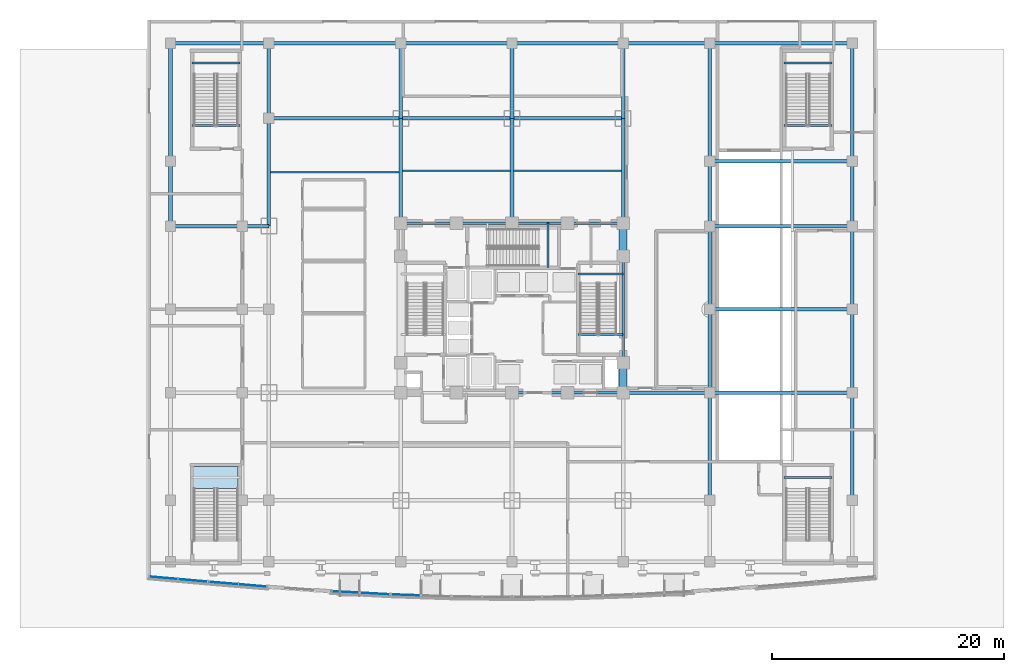
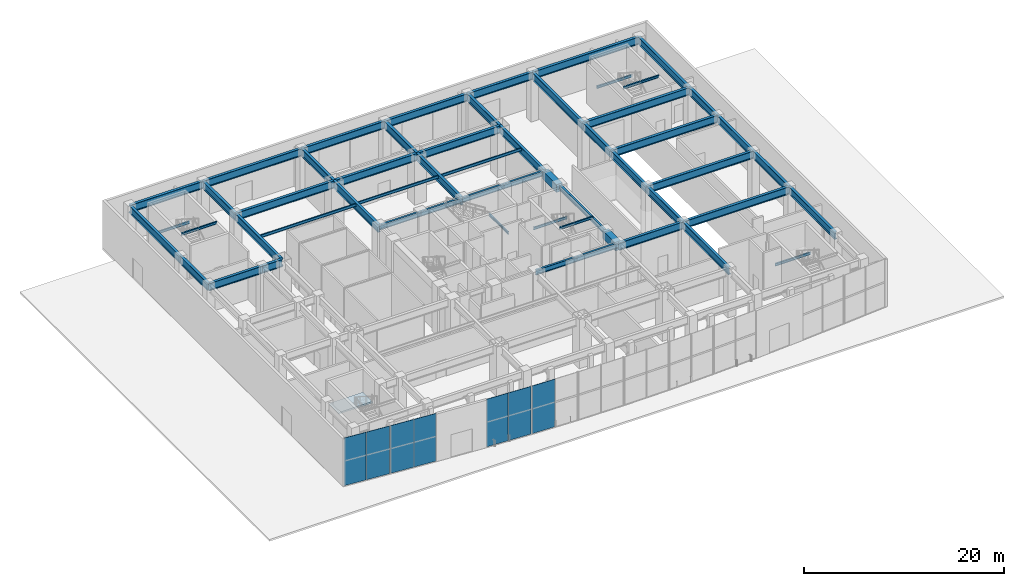
# One storey, part 10 of 23: 56 beams, 7 plates, 1 slab, 5 elements without a shape of their own.
"""IFC4 building model written with IfcOpenShell, lengths in metres."""

from ifc_helpers import new_model, si_unit, direction, frame, origin, origin_2d, place, context, subcontext, project, spatial, polyline, rectangle, i_section, outline, extrude, material, layer, layer_set, material_profile, profile_set, type_object, element, aggregate, save


model = new_model("IFC4")

# Units and contexts
model_context = context("Model", 3, precision=1e-05, world=origin(), true_north=direction((0.0, 1.0)))
body_context = subcontext(model_context, "Body", "Model", "MODEL_VIEW")
ifc_project = project(units=[si_unit("LENGTHUNIT", "METRE"), si_unit("AREAUNIT", "SQUARE_METRE"), si_unit("VOLUMEUNIT", "CUBIC_METRE"), si_unit("PLANEANGLEUNIT", "RADIAN"), si_unit("MASSUNIT", "GRAM", prefix="KILO")], contexts=[model_context])

# Site, building, storey
site_placement = place(None, origin())
site = spatial("IfcSite", under=ifc_project, at=site_placement, CompositionType="ELEMENT")
building_placement = place(site_placement, origin())
building = spatial("IfcBuilding", under=site, at=building_placement, Name="Vantalir Tower", CompositionType="ELEMENT")
storey_placement = place(building_placement, origin())
storey = spatial("IfcBuildingStorey", under=building, at=storey_placement, Name="L00", CompositionType="ELEMENT", Elevation=0.0)

# Beams
ifc_material_1 = material(Name="Concrete C60/75", Category="concrete")
ifc_material_profile_1 = material_profile(ifc_material_1, rectangle(XDim=0.699951171875, YDim=0.949951171875, at=origin_2d()), Name="Concrete C60/75")
ifc_profile_set_1 = profile_set([ifc_material_profile_1], Name="Concrete C60/75")
beam_type_1 = type_object("IfcBeamType", Name="BM-CB-700x950", PredefinedType="USERDEFINED", material=ifc_profile_set_1)
beam_1_placement = place(storey_placement, frame((41.10009765625, 17.800048828125, 5.344970703125), z_axis=(0.0, 1.0, 0.0), x_axis=(-1.0, 0.0, 0.0)))
element("IfcBeam", 1, at=beam_1_placement, inside=storey, type_object=beam_type_1, Name="L00 Core Coupling Girder 05", ObjectType="GIRDER", PredefinedType="USERDEFINED", context=body_context, shape_type="SweptSolid", body=[
    extrude(rectangle(XDim=0.699951171875, YDim=0.949951171875, at=origin_2d()), origin(), (0.0, 0.0, 1.0), 2.599853515625),
])
beam_2_placement = place(storey_placement, frame((41.10009765625, 29.60009765625, 5.344970703125), z_axis=(0.0, 1.0, 0.0), x_axis=(-1.0, 0.0, 0.0)))
element("IfcBeam", 2, at=beam_2_placement, inside=storey, type_object=beam_type_1, Name="L00 Core Coupling Girder 07", ObjectType="GIRDER", PredefinedType="USERDEFINED", context=body_context, shape_type="SweptSolid", body=[
    extrude(rectangle(XDim=0.699951171875, YDim=0.949951171875, at=origin_2d()), origin(), (0.0, 0.0, 1.0), 2.849853515625),
])
ifc_material_2 = material(Name="Steel S355", Category="steel")
ifc_material_profile_2 = material_profile(ifc_material_2, i_section(OverallWidth=0.166015625, OverallDepth=0.306884765625, WebThickness=0.006591796875, FlangeThickness=0.01171875, at=origin_2d()), Name="Steel S355")
ifc_profile_set_2 = profile_set([ifc_material_profile_2], Name="Steel S355")
beam_type_2 = type_object("IfcBeamType", Name="BM-JS-305x165", PredefinedType="JOIST", material=ifc_profile_set_2)
for number, where, z_axis, x_axis, name in (
    (3, (37.2099609375, 22.8349609375, 5.845947265625), (1.0, 0.0, 0.0), (0.0, 1.0, 0.0), "Level 01 Stair ST2 Well Nosing Trimmer Beam"),
    (4, (37.2099609375, 28.070068359375, 2.64599609375), (1.0, 0.0, 0.0), (0.0, 1.0, 0.0), "L00 Stair ST2 Half-Landing Support Beam"),
):
    element("IfcBeam", number, at=place(storey_placement, frame(where, z_axis=z_axis, x_axis=x_axis)), inside=storey, type_object=beam_type_2, Name=name, PredefinedType="JOIST", context=body_context, shape_type="SweptSolid", body=[
        extrude(i_section(OverallWidth=0.166015625, OverallDepth=0.306884765625, WebThickness=0.006591796875, FlangeThickness=0.01171875, at=origin_2d()), origin(), (0.0, 0.0, 1.0), 3.89013671875),
    ])
beam_3_placement = place(storey_placement, frame((34.6201171875, 28.60009765625, 2.64599609375), z_axis=(0.0, 1.0, 0.0), x_axis=(-1.0, 0.0, 0.0)))
element("IfcBeam", 5, at=beam_3_placement, inside=storey, type_object=beam_type_2, Name="L00 Stair ST3 Half-Landing Support Beam", PredefinedType="JOIST", context=body_context, shape_type="SweptSolid", body=[
    extrude(i_section(OverallWidth=0.166015625, OverallDepth=0.306884765625, WebThickness=0.006591796875, FlangeThickness=0.01171875, at=origin_2d()), origin(), (0.0, 0.0, 1.0), 3.849853515625),
])
for number, where, z_axis, x_axis, name in (
    (6, (3.860107421875, 40.89501953125, 5.845947265625), (1.0, 0.0, 0.0), (0.0, 1.0, 0.0), "Level 01 Stair PST1 Well Nosing Trimmer Beam"),
    (7, (3.860107421875, 46.27490234375, 2.64599609375), (1.0, 0.0, 0.0), (0.0, 1.0, 0.0), "L00 Stair PST1 Half-Landing Support Beam"),
    (8, (55.010009765625, 40.89501953125, 5.845947265625), (1.0, 0.0, 0.0), (0.0, 1.0, 0.0), "Level 01 Stair PST2 Well Nosing Trimmer Beam"),
    (9, (55.010009765625, 46.27490234375, 2.64599609375), (1.0, 0.0, 0.0), (0.0, 1.0, 0.0), "L00 Stair PST2 Half-Landing Support Beam"),
    (10, (55.010009765625, 10.47509765625, 2.64599609375), (1.0, 0.0, 0.0), (0.0, 1.0, 0.0), "L00 Stair PST4 Half-Landing Support Beam"),
):
    element("IfcBeam", number, at=place(storey_placement, frame(where, z_axis=z_axis, x_axis=x_axis)), inside=storey, type_object=beam_type_2, Name=name, PredefinedType="JOIST", context=body_context, shape_type="SweptSolid", body=[
        extrude(i_section(OverallWidth=0.166015625, OverallDepth=0.306884765625, WebThickness=0.006591796875, FlangeThickness=0.01171875, at=origin_2d()), origin(), (0.0, 0.0, 1.0), 4.1298828125),
    ])
ifc_material_profile_3 = material_profile(ifc_material_2, i_section(OverallWidth=0.1259765625, OverallDepth=0.35302734375, WebThickness=0.006591796875, FlangeThickness=0.0107421875, at=origin_2d()), Name="Steel S355")
ifc_profile_set_3 = profile_set([ifc_material_profile_3], Name="Steel S355")
beam_type_3 = type_object("IfcBeamType", Name="BM-JS-356x127", PredefinedType="JOIST", material=ifc_profile_set_3)
beam_4_placement = place(storey_placement, frame((10.64501953125, 36.85009765625, 5.64404296875), z_axis=(1.0, 0.0, 0.0), x_axis=(0.0, 1.0, 0.0)))
element("IfcBeam", 11, at=beam_4_placement, inside=storey, type_object=beam_type_3, Name="L00 Secondary Composite Joist 02", PredefinedType="JOIST", context=body_context, shape_type="SweptSolid", body=[
    extrude(i_section(OverallWidth=0.1259765625, OverallDepth=0.35302734375, WebThickness=0.006591796875, FlangeThickness=0.0107421875, at=origin_2d()), origin(), (0.0, 0.0, 1.0), 11.10986328125),
])
for number, where, z_axis, x_axis, name in (
    (12, (22.044921875, 36.97509765625, 5.64404296875), (1.0, 0.0, 0.0), (0.0, 1.0, 0.0), "L00 Secondary Composite Joist 04"),
    (13, (31.64501953125, 36.97509765625, 5.64404296875), (1.0, 0.0, 0.0), (0.0, 1.0, 0.0), "L00 Secondary Composite Joist 06"),
):
    element("IfcBeam", number, at=place(storey_placement, frame(where, z_axis=z_axis, x_axis=x_axis)), inside=storey, type_object=beam_type_3, Name=name, PredefinedType="JOIST", context=body_context, shape_type="SweptSolid", body=[
        extrude(i_section(OverallWidth=0.1259765625, OverallDepth=0.35302734375, WebThickness=0.006591796875, FlangeThickness=0.0107421875, at=origin_2d()), origin(), (0.0, 0.0, 1.0), 9.31005859375),
    ])
ifc_material_profile_4 = material_profile(ifc_material_2, i_section(OverallWidth=0.30810546875, OverallDepth=0.927001953125, WebThickness=0.01953125, FlangeThickness=0.031982421875, at=origin_2d()), Name="Steel S355")
ifc_profile_set_4 = profile_set([ifc_material_profile_4], Name="Steel S355")
beam_type_4 = type_object("IfcBeamType", Name="BM-PG-914x305", PredefinedType="USERDEFINED", material=ifc_profile_set_4)
beam_5_placement = place(storey_placement, frame((41.10009765625, 17.800048828125, 5.35693359375), z_axis=(1.0, 0.0, 0.0), x_axis=(0.0, 1.0, 0.0)))
element("IfcBeam", 14, at=beam_5_placement, inside=storey, type_object=beam_type_4, Name="L00 Podium E-W Girder 19", ObjectType="GIRDER", PredefinedType="USERDEFINED", context=body_context, shape_type="SweptSolid", body=[
    extrude(i_section(OverallWidth=0.30810546875, OverallDepth=0.927001953125, WebThickness=0.01953125, FlangeThickness=0.031982421875, at=origin_2d()), origin(), (0.0, 0.0, 1.0), 7.5),
])
for number, where, z_axis, x_axis, name in (
    (15, (48.60009765625, 17.800048828125, 5.35693359375), (1.0, 0.0, 0.0), (0.0, 1.0, 0.0), "L00 Podium E-W Girder 20"),
    (16, (48.60009765625, 25.0, 5.35693359375), (1.0, 0.0, 0.0), (0.0, 1.0, 0.0), "L00 Podium E-W Girder 23"),
):
    element("IfcBeam", number, at=place(storey_placement, frame(where, z_axis=z_axis, x_axis=x_axis)), inside=storey, type_object=beam_type_4, Name=name, ObjectType="GIRDER", PredefinedType="USERDEFINED", context=body_context, shape_type="SweptSolid", body=[
        extrude(i_section(OverallWidth=0.30810546875, OverallDepth=0.927001953125, WebThickness=0.01953125, FlangeThickness=0.031982421875, at=origin_2d()), origin(), (0.0, 0.0, 1.0), 12.2998046875),
    ])
beam_6_placement = place(storey_placement, frame((2.0, 32.199951171875, 5.35693359375), z_axis=(1.0, 0.0, 0.0), x_axis=(0.0, 1.0, 0.0)))
element("IfcBeam", 17, at=beam_6_placement, inside=storey, type_object=beam_type_4, Name="L00 Podium E-W Girder 24", ObjectType="GIRDER", PredefinedType="USERDEFINED", context=body_context, shape_type="SweptSolid", body=[
    extrude(i_section(OverallWidth=0.30810546875, OverallDepth=0.927001953125, WebThickness=0.01953125, FlangeThickness=0.031982421875, at=origin_2d()), origin(), (0.0, 0.0, 1.0), 6.199951171875),
])
beam_7_placement = place(storey_placement, frame((8.199951171875, 32.199951171875, 5.35693359375), z_axis=(1.0, 0.0, 0.0), x_axis=(0.0, 1.0, 0.0)))
element("IfcBeam", 18, at=beam_7_placement, inside=storey, type_object=beam_type_4, Name="L00 Podium E-W Girder 25", ObjectType="GIRDER", PredefinedType="USERDEFINED", context=body_context, shape_type="SweptSolid", body=[
    extrude(i_section(OverallWidth=0.30810546875, OverallDepth=0.927001953125, WebThickness=0.01953125, FlangeThickness=0.031982421875, at=origin_2d()), origin(), (0.0, 0.0, 1.0), 2.300048828125),
])
for number, where, z_axis, x_axis, name in (
    (19, (48.60009765625, 32.199951171875, 5.35693359375), (1.0, 0.0, 0.0), (0.0, 1.0, 0.0), "L00 Podium E-W Girder 26"),
    (20, (48.60009765625, 37.800048828125, 5.35693359375), (1.0, 0.0, 0.0), (0.0, 1.0, 0.0), "L00 Podium E-W Girder 31"),
):
    element("IfcBeam", number, at=place(storey_placement, frame(where, z_axis=z_axis, x_axis=x_axis)), inside=storey, type_object=beam_type_4, Name=name, ObjectType="GIRDER", PredefinedType="USERDEFINED", context=body_context, shape_type="SweptSolid", body=[
        extrude(i_section(OverallWidth=0.30810546875, OverallDepth=0.927001953125, WebThickness=0.01953125, FlangeThickness=0.031982421875, at=origin_2d()), origin(), (0.0, 0.0, 1.0), 12.2998046875),
    ])
beam_8_placement = place(storey_placement, frame((10.5, 41.5, 5.35693359375), z_axis=(1.0, 0.0, 0.0), x_axis=(0.0, 1.0, 0.0)))
element("IfcBeam", 21, at=beam_8_placement, inside=storey, type_object=beam_type_4, Name="L00 Podium E-W Girder 32", ObjectType="GIRDER", PredefinedType="USERDEFINED", context=body_context, shape_type="SweptSolid", body=[
    extrude(i_section(OverallWidth=0.30810546875, OverallDepth=0.927001953125, WebThickness=0.01953125, FlangeThickness=0.031982421875, at=origin_2d()), origin(), (0.0, 0.0, 1.0), 11.39990234375),
])
for number, where, z_axis, x_axis, name in (
    (22, (21.89990234375, 41.5, 5.35693359375), (1.0, 0.0, 0.0), (0.0, 1.0, 0.0), "L00 Podium E-W Girder 33"),
    (23, (31.5, 41.5, 5.35693359375), (1.0, 0.0, 0.0), (0.0, 1.0, 0.0), "L00 Podium E-W Girder 34"),
):
    element("IfcBeam", number, at=place(storey_placement, frame(where, z_axis=z_axis, x_axis=x_axis)), inside=storey, type_object=beam_type_4, Name=name, ObjectType="GIRDER", PredefinedType="USERDEFINED", context=body_context, shape_type="SweptSolid", body=[
        extrude(i_section(OverallWidth=0.30810546875, OverallDepth=0.927001953125, WebThickness=0.01953125, FlangeThickness=0.031982421875, at=origin_2d()), origin(), (0.0, 0.0, 1.0), 9.60009765625),
    ])
beam_9_placement = place(storey_placement, frame((2.0, 48.0, 5.35693359375), z_axis=(1.0, 0.0, 0.0), x_axis=(0.0, 1.0, 0.0)))
element("IfcBeam", 24, at=beam_9_placement, inside=storey, type_object=beam_type_4, Name="L00 Podium E-W Girder 35", ObjectType="GIRDER", PredefinedType="USERDEFINED", context=body_context, shape_type="SweptSolid", body=[
    extrude(i_section(OverallWidth=0.30810546875, OverallDepth=0.927001953125, WebThickness=0.01953125, FlangeThickness=0.031982421875, at=origin_2d()), origin(), (0.0, 0.0, 1.0), 8.5),
])
beam_10_placement = place(storey_placement, frame((10.5, 48.0, 5.35693359375), z_axis=(1.0, 0.0, 0.0), x_axis=(0.0, 1.0, 0.0)))
element("IfcBeam", 25, at=beam_10_placement, inside=storey, type_object=beam_type_4, Name="L00 Podium E-W Girder 36", ObjectType="GIRDER", PredefinedType="USERDEFINED", context=body_context, shape_type="SweptSolid", body=[
    extrude(i_section(OverallWidth=0.30810546875, OverallDepth=0.927001953125, WebThickness=0.01953125, FlangeThickness=0.031982421875, at=origin_2d()), origin(), (0.0, 0.0, 1.0), 11.39990234375),
])
for number, where, z_axis, x_axis, name in (
    (26, (21.89990234375, 48.0, 5.35693359375), (1.0, 0.0, 0.0), (0.0, 1.0, 0.0), "L00 Podium E-W Girder 37"),
    (27, (31.5, 48.0, 5.35693359375), (1.0, 0.0, 0.0), (0.0, 1.0, 0.0), "L00 Podium E-W Girder 38"),
):
    element("IfcBeam", number, at=place(storey_placement, frame(where, z_axis=z_axis, x_axis=x_axis)), inside=storey, type_object=beam_type_4, Name=name, ObjectType="GIRDER", PredefinedType="USERDEFINED", context=body_context, shape_type="SweptSolid", body=[
        extrude(i_section(OverallWidth=0.30810546875, OverallDepth=0.927001953125, WebThickness=0.01953125, FlangeThickness=0.031982421875, at=origin_2d()), origin(), (0.0, 0.0, 1.0), 9.60009765625),
    ])
beam_11_placement = place(storey_placement, frame((41.10009765625, 48.0, 5.35693359375), z_axis=(1.0, 0.0, 0.0), x_axis=(0.0, 1.0, 0.0)))
element("IfcBeam", 28, at=beam_11_placement, inside=storey, type_object=beam_type_4, Name="L00 Podium E-W Girder 39", ObjectType="GIRDER", PredefinedType="USERDEFINED", context=body_context, shape_type="SweptSolid", body=[
    extrude(i_section(OverallWidth=0.30810546875, OverallDepth=0.927001953125, WebThickness=0.01953125, FlangeThickness=0.031982421875, at=origin_2d()), origin(), (0.0, 0.0, 1.0), 7.5),
])
beam_12_placement = place(storey_placement, frame((48.60009765625, 48.0, 5.35693359375), z_axis=(1.0, 0.0, 0.0), x_axis=(0.0, 1.0, 0.0)))
element("IfcBeam", 29, at=beam_12_placement, inside=storey, type_object=beam_type_4, Name="L00 Podium E-W Girder 40", ObjectType="GIRDER", PredefinedType="USERDEFINED", context=body_context, shape_type="SweptSolid", body=[
    extrude(i_section(OverallWidth=0.30810546875, OverallDepth=0.927001953125, WebThickness=0.01953125, FlangeThickness=0.031982421875, at=origin_2d()), origin(), (0.0, 0.0, 1.0), 12.2998046875),
])
beam_13_placement = place(storey_placement, frame((2.0, 32.199951171875, 5.35693359375), z_axis=(0.0, 1.0, 0.0), x_axis=(-1.0, 0.0, 0.0)))
element("IfcBeam", 30, at=beam_13_placement, inside=storey, type_object=beam_type_4, Name="L00 Podium N-S Girder 45", ObjectType="GIRDER", PredefinedType="USERDEFINED", context=body_context, shape_type="SweptSolid", body=[
    extrude(i_section(OverallWidth=0.30810546875, OverallDepth=0.927001953125, WebThickness=0.01953125, FlangeThickness=0.031982421875, at=origin_2d()), origin(), (0.0, 0.0, 1.0), 5.60009765625),
])
beam_14_placement = place(storey_placement, frame((2.0, 37.800048828125, 5.35693359375), z_axis=(0.0, 1.0, 0.0), x_axis=(-1.0, 0.0, 0.0)))
element("IfcBeam", 31, at=beam_14_placement, inside=storey, type_object=beam_type_4, Name="L00 Podium N-S Girder 46", ObjectType="GIRDER", PredefinedType="USERDEFINED", context=body_context, shape_type="SweptSolid", body=[
    extrude(i_section(OverallWidth=0.30810546875, OverallDepth=0.927001953125, WebThickness=0.01953125, FlangeThickness=0.031982421875, at=origin_2d()), origin(), (0.0, 0.0, 1.0), 10.199951171875),
])
beam_15_placement = place(storey_placement, frame((10.5, 32.199951171875, 5.35693359375), z_axis=(0.0, 1.0, 0.0), x_axis=(-1.0, 0.0, 0.0)))
element("IfcBeam", 32, at=beam_15_placement, inside=storey, type_object=beam_type_4, Name="L00 Podium N-S Girder 54", ObjectType="GIRDER", PredefinedType="USERDEFINED", context=body_context, shape_type="SweptSolid", body=[
    extrude(i_section(OverallWidth=0.30810546875, OverallDepth=0.927001953125, WebThickness=0.01953125, FlangeThickness=0.031982421875, at=origin_2d()), origin(), (0.0, 0.0, 1.0), 9.300048828125),
])
beam_16_placement = place(storey_placement, frame((10.5, 41.5, 5.35693359375), z_axis=(0.0, 1.0, 0.0), x_axis=(-1.0, 0.0, 0.0)))
element("IfcBeam", 33, at=beam_16_placement, inside=storey, type_object=beam_type_4, Name="L00 Podium N-S Girder 55", ObjectType="GIRDER", PredefinedType="USERDEFINED", context=body_context, shape_type="SweptSolid", body=[
    extrude(i_section(OverallWidth=0.30810546875, OverallDepth=0.927001953125, WebThickness=0.01953125, FlangeThickness=0.031982421875, at=origin_2d()), origin(), (0.0, 0.0, 1.0), 6.5),
])
beam_17_placement = place(storey_placement, frame((21.89990234375, 32.449951171875, 5.35693359375), z_axis=(0.0, 1.0, 0.0), x_axis=(-1.0, 0.0, 0.0)))
element("IfcBeam", 34, at=beam_17_placement, inside=storey, type_object=beam_type_4, Name="L00 Podium N-S Girder 61", ObjectType="GIRDER", PredefinedType="USERDEFINED", context=body_context, shape_type="SweptSolid", body=[
    extrude(i_section(OverallWidth=0.30810546875, OverallDepth=0.927001953125, WebThickness=0.01953125, FlangeThickness=0.031982421875, at=origin_2d()), origin(), (0.0, 0.0, 1.0), 9.050048828125),
])
beam_18_placement = place(storey_placement, frame((21.89990234375, 41.5, 5.35693359375), z_axis=(0.0, 1.0, 0.0), x_axis=(-1.0, 0.0, 0.0)))
element("IfcBeam", 35, at=beam_18_placement, inside=storey, type_object=beam_type_4, Name="L00 Podium N-S Girder 62", ObjectType="GIRDER", PredefinedType="USERDEFINED", context=body_context, shape_type="SweptSolid", body=[
    extrude(i_section(OverallWidth=0.30810546875, OverallDepth=0.927001953125, WebThickness=0.01953125, FlangeThickness=0.031982421875, at=origin_2d()), origin(), (0.0, 0.0, 1.0), 6.5),
])
beam_19_placement = place(storey_placement, frame((31.5, 32.449951171875, 5.35693359375), z_axis=(0.0, 1.0, 0.0), x_axis=(-1.0, 0.0, 0.0)))
element("IfcBeam", 36, at=beam_19_placement, inside=storey, type_object=beam_type_4, Name="L00 Podium N-S Girder 65", ObjectType="GIRDER", PredefinedType="USERDEFINED", context=body_context, shape_type="SweptSolid", body=[
    extrude(i_section(OverallWidth=0.30810546875, OverallDepth=0.927001953125, WebThickness=0.01953125, FlangeThickness=0.031982421875, at=origin_2d()), origin(), (0.0, 0.0, 1.0), 9.050048828125),
])
beam_20_placement = place(storey_placement, frame((31.5, 41.5, 5.35693359375), z_axis=(0.0, 1.0, 0.0), x_axis=(-1.0, 0.0, 0.0)))
element("IfcBeam", 37, at=beam_20_placement, inside=storey, type_object=beam_type_4, Name="L00 Podium N-S Girder 66", ObjectType="GIRDER", PredefinedType="USERDEFINED", context=body_context, shape_type="SweptSolid", body=[
    extrude(i_section(OverallWidth=0.30810546875, OverallDepth=0.927001953125, WebThickness=0.01953125, FlangeThickness=0.031982421875, at=origin_2d()), origin(), (0.0, 0.0, 1.0), 6.5),
])
beam_21_placement = place(storey_placement, frame((41.10009765625, 32.449951171875, 5.35693359375), z_axis=(0.0, 1.0, 0.0), x_axis=(-1.0, 0.0, 0.0)))
element("IfcBeam", 38, at=beam_21_placement, inside=storey, type_object=beam_type_4, Name="L00 Podium N-S Girder 72", ObjectType="GIRDER", PredefinedType="USERDEFINED", context=body_context, shape_type="SweptSolid", body=[
    extrude(i_section(OverallWidth=0.30810546875, OverallDepth=0.927001953125, WebThickness=0.01953125, FlangeThickness=0.031982421875, at=origin_2d()), origin(), (0.0, 0.0, 1.0), 9.050048828125),
])
beam_22_placement = place(storey_placement, frame((41.10009765625, 41.5, 5.35693359375), z_axis=(0.0, 1.0, 0.0), x_axis=(-1.0, 0.0, 0.0)))
element("IfcBeam", 39, at=beam_22_placement, inside=storey, type_object=beam_type_4, Name="L00 Podium N-S Girder 73", ObjectType="GIRDER", PredefinedType="USERDEFINED", context=body_context, shape_type="SweptSolid", body=[
    extrude(i_section(OverallWidth=0.30810546875, OverallDepth=0.927001953125, WebThickness=0.01953125, FlangeThickness=0.031982421875, at=origin_2d()), origin(), (0.0, 0.0, 1.0), 6.5),
])
beam_23_placement = place(storey_placement, frame((48.60009765625, 8.5, 5.35693359375), z_axis=(0.0, 1.0, 0.0), x_axis=(-1.0, 0.0, 0.0)))
element("IfcBeam", 40, at=beam_23_placement, inside=storey, type_object=beam_type_4, Name="L00 Podium N-S Girder 75", ObjectType="GIRDER", PredefinedType="USERDEFINED", context=body_context, shape_type="SweptSolid", body=[
    extrude(i_section(OverallWidth=0.30810546875, OverallDepth=0.927001953125, WebThickness=0.01953125, FlangeThickness=0.031982421875, at=origin_2d()), origin(), (0.0, 0.0, 1.0), 9.300048828125),
])
for number, where, z_axis, x_axis, name in (
    (41, (48.60009765625, 17.800048828125, 5.35693359375), (0.0, 1.0, 0.0), (-1.0, 0.0, 0.0), "L00 Podium N-S Girder 76"),
    (42, (48.60009765625, 25.0, 5.35693359375), (0.0, 1.0, 0.0), (-1.0, 0.0, 0.0), "L00 Podium N-S Girder 77"),
):
    element("IfcBeam", number, at=place(storey_placement, frame(where, z_axis=z_axis, x_axis=x_axis)), inside=storey, type_object=beam_type_4, Name=name, ObjectType="GIRDER", PredefinedType="USERDEFINED", context=body_context, shape_type="SweptSolid", body=[
        extrude(i_section(OverallWidth=0.30810546875, OverallDepth=0.927001953125, WebThickness=0.01953125, FlangeThickness=0.031982421875, at=origin_2d()), origin(), (0.0, 0.0, 1.0), 7.199951171875),
    ])
beam_24_placement = place(storey_placement, frame((48.60009765625, 32.199951171875, 5.35693359375), z_axis=(0.0, 1.0, 0.0), x_axis=(-1.0, 0.0, 0.0)))
element("IfcBeam", 43, at=beam_24_placement, inside=storey, type_object=beam_type_4, Name="L00 Podium N-S Girder 78", ObjectType="GIRDER", PredefinedType="USERDEFINED", context=body_context, shape_type="SweptSolid", body=[
    extrude(i_section(OverallWidth=0.30810546875, OverallDepth=0.927001953125, WebThickness=0.01953125, FlangeThickness=0.031982421875, at=origin_2d()), origin(), (0.0, 0.0, 1.0), 5.60009765625),
])
beam_25_placement = place(storey_placement, frame((48.60009765625, 37.800048828125, 5.35693359375), z_axis=(0.0, 1.0, 0.0), x_axis=(-1.0, 0.0, 0.0)))
element("IfcBeam", 44, at=beam_25_placement, inside=storey, type_object=beam_type_4, Name="L00 Podium N-S Girder 79", ObjectType="GIRDER", PredefinedType="USERDEFINED", context=body_context, shape_type="SweptSolid", body=[
    extrude(i_section(OverallWidth=0.30810546875, OverallDepth=0.927001953125, WebThickness=0.01953125, FlangeThickness=0.031982421875, at=origin_2d()), origin(), (0.0, 0.0, 1.0), 10.199951171875),
])
beam_26_placement = place(storey_placement, frame((60.89990234375, 8.5, 5.35693359375), z_axis=(0.0, 1.0, 0.0), x_axis=(-1.0, 0.0, 0.0)))
element("IfcBeam", 45, at=beam_26_placement, inside=storey, type_object=beam_type_4, Name="L00 Podium N-S Girder 81", ObjectType="GIRDER", PredefinedType="USERDEFINED", context=body_context, shape_type="SweptSolid", body=[
    extrude(i_section(OverallWidth=0.30810546875, OverallDepth=0.927001953125, WebThickness=0.01953125, FlangeThickness=0.031982421875, at=origin_2d()), origin(), (0.0, 0.0, 1.0), 9.300048828125),
])
for number, where, z_axis, x_axis, name in (
    (46, (60.89990234375, 17.800048828125, 5.35693359375), (0.0, 1.0, 0.0), (-1.0, 0.0, 0.0), "L00 Podium N-S Girder 82"),
    (47, (60.89990234375, 25.0, 5.35693359375), (0.0, 1.0, 0.0), (-1.0, 0.0, 0.0), "L00 Podium N-S Girder 83"),
):
    element("IfcBeam", number, at=place(storey_placement, frame(where, z_axis=z_axis, x_axis=x_axis)), inside=storey, type_object=beam_type_4, Name=name, ObjectType="GIRDER", PredefinedType="USERDEFINED", context=body_context, shape_type="SweptSolid", body=[
        extrude(i_section(OverallWidth=0.30810546875, OverallDepth=0.927001953125, WebThickness=0.01953125, FlangeThickness=0.031982421875, at=origin_2d()), origin(), (0.0, 0.0, 1.0), 7.199951171875),
    ])
beam_27_placement = place(storey_placement, frame((60.89990234375, 32.199951171875, 5.35693359375), z_axis=(0.0, 1.0, 0.0), x_axis=(-1.0, 0.0, 0.0)))
element("IfcBeam", 48, at=beam_27_placement, inside=storey, type_object=beam_type_4, Name="L00 Podium N-S Girder 84", ObjectType="GIRDER", PredefinedType="USERDEFINED", context=body_context, shape_type="SweptSolid", body=[
    extrude(i_section(OverallWidth=0.30810546875, OverallDepth=0.927001953125, WebThickness=0.01953125, FlangeThickness=0.031982421875, at=origin_2d()), origin(), (0.0, 0.0, 1.0), 5.60009765625),
])
beam_28_placement = place(storey_placement, frame((60.89990234375, 37.800048828125, 5.35693359375), z_axis=(0.0, 1.0, 0.0), x_axis=(-1.0, 0.0, 0.0)))
element("IfcBeam", 49, at=beam_28_placement, inside=storey, type_object=beam_type_4, Name="L00 Podium N-S Girder 85", ObjectType="GIRDER", PredefinedType="USERDEFINED", context=body_context, shape_type="SweptSolid", body=[
    extrude(i_section(OverallWidth=0.30810546875, OverallDepth=0.927001953125, WebThickness=0.01953125, FlangeThickness=0.031982421875, at=origin_2d()), origin(), (0.0, 0.0, 1.0), 10.199951171875),
])
ifc_material_profile_5 = material_profile(ifc_material_2, i_section(OverallWidth=0.22998046875, OverallDepth=0.616943359375, WebThickness=0.01318359375, FlangeThickness=0.022216796875, at=origin_2d()), Name="Steel S355")
ifc_profile_set_5 = profile_set([ifc_material_profile_5], Name="Steel S355")
beam_type_5 = type_object("IfcBeamType", Name="BM-RB-610x229", PredefinedType="BEAM", material=ifc_profile_set_5)
for number, where, z_axis, x_axis, name in (
    (50, (31.5, 17.800048828125, 5.511962890625), (1.0, 0.0, 0.0), (0.0, 1.0, 0.0), "L00 Core Coupling Girder 03"),
    (51, (36.300048828125, 17.800048828125, 5.511962890625), (1.0, 0.0, 0.0), (0.0, 1.0, 0.0), "L00 Core Coupling Girder 04"),
):
    element("IfcBeam", number, at=place(storey_placement, frame(where, z_axis=z_axis, x_axis=x_axis)), inside=storey, type_object=beam_type_5, Name=name, PredefinedType="BEAM", context=body_context, shape_type="SweptSolid", body=[
        extrude(i_section(OverallWidth=0.22998046875, OverallDepth=0.616943359375, WebThickness=0.01318359375, FlangeThickness=0.022216796875, at=origin_2d()), origin(), (0.0, 0.0, 1.0), 4.800048828125),
    ])
beam_29_placement = place(storey_placement, frame((41.10009765625, 20.39990234375, 5.511962890625), z_axis=(0.0, 1.0, 0.0), x_axis=(-1.0, 0.0, 0.0)))
element("IfcBeam", 52, at=beam_29_placement, inside=storey, type_object=beam_type_5, Name="L00 Core Coupling Girder 06", PredefinedType="BEAM", context=body_context, shape_type="SweptSolid", body=[
    extrude(i_section(OverallWidth=0.22998046875, OverallDepth=0.616943359375, WebThickness=0.01318359375, FlangeThickness=0.022216796875, at=origin_2d()), origin(), (0.0, 0.0, 1.0), 9.2001953125),
])
for number, where, z_axis, x_axis, name in (
    (53, (41.10009765625, 32.449951171875, 5.511962890625), (-1.0, 0.0, 0.0), (0.0, -1.0, 0.0), "L00 Core Coupling Girder 08"),
    (54, (36.300048828125, 32.449951171875, 5.511962890625), (-1.0, 0.0, 0.0), (0.0, -1.0, 0.0), "L00 Core Coupling Girder 09"),
    (55, (31.5, 32.449951171875, 5.511962890625), (-1.0, 0.0, 0.0), (0.0, -1.0, 0.0), "L00 Core Coupling Girder 10"),
    (56, (26.699951171875, 32.449951171875, 5.511962890625), (-1.0, 0.0, 0.0), (0.0, -1.0, 0.0), "L00 Core Coupling Girder 11"),
):
    element("IfcBeam", number, at=place(storey_placement, frame(where, z_axis=z_axis, x_axis=x_axis)), inside=storey, type_object=beam_type_5, Name=name, PredefinedType="BEAM", context=body_context, shape_type="SweptSolid", body=[
        extrude(i_section(OverallWidth=0.22998046875, OverallDepth=0.616943359375, WebThickness=0.01318359375, FlangeThickness=0.022216796875, at=origin_2d()), origin(), (0.0, 0.0, 1.0), 4.800048828125),
    ])

# Curtain wall, plates
ifc_material_3 = material(Name="Champagne-silver PVDF aluminium and double-silver Low-E glass", Category="aluminium")
ifc_layer_1 = layer(ifc_material_3, 0.239990234375)
ifc_layer_set_1 = layer_set([ifc_layer_1], Name="Champagne-silver PVDF aluminium and double-silver Low-E glass")
curtain_wall_type = type_object("IfcCurtainWallType", Name="CW-PODIUM-WF", PredefinedType="USERDEFINED", material=ifc_layer_set_1)
curtain_wall_1_placement = place(storey_placement, origin())
curtain_wall_1 = element("IfcCurtainWall", 57, at=curtain_wall_1_placement, inside=storey, type_object=curtain_wall_type, Name="L00 Waterfront Stick Curtain Wall 01", ObjectType="STICK CURTAIN WALL", PredefinedType="USERDEFINED")
ifc_material_4 = material(Name="Laminated waterfront podium glass IGU", Category="glass")
ifc_layer_2 = layer(ifc_material_4, 0.0400390625)
ifc_layer_set_2 = layer_set([ifc_layer_2], Name="Laminated waterfront podium glass IGU")
plate_type = type_object("IfcPlateType", Name="CWP-IGU-POD-40", PredefinedType="CURTAIN_PANEL", material=ifc_layer_set_2)
plate_1_placement = place(storey_placement, frame((1.402099609375, 1.81591796875, -0.008056640625), z_axis=(0.0, 0.0, 1.0), x_axis=(0.99608438842, -0.088407528781, 0.0)))
plate_1 = element("IfcPlate", 58, at=plate_1_placement, type_object=plate_type, Name="CW-L00-WF-01 Glazed Panel 1", PredefinedType="CURTAIN_PANEL", context=body_context, shape_type="SweptSolid", body=[
    extrude(rectangle(XDim=2.43505859375, YDim=0.0400390625, at=origin_2d()), origin(), (0.0, 0.0, 1.0), 5.8359375),
])
plate_2_placement = place(storey_placement, frame((3.9130859375, 1.593017578125, -0.008056640625), z_axis=(0.0, 0.0, 1.0), x_axis=(0.99608438842, -0.088407528781, 0.0)))
plate_2 = element("IfcPlate", 59, at=plate_2_placement, type_object=plate_type, Name="CW-L00-WF-01 Glazed Panel 2", PredefinedType="CURTAIN_PANEL", context=body_context, shape_type="SweptSolid", body=[
    extrude(rectangle(XDim=2.56494140625, YDim=0.0400390625, at=origin_2d()), origin(), (0.0, 0.0, 1.0), 5.8359375),
])
aggregate(curtain_wall_1, [plate_1, plate_2])

curtain_wall_2_placement = place(storey_placement, origin())
curtain_wall_2 = element("IfcCurtainWall", 60, at=curtain_wall_2_placement, inside=storey, type_object=curtain_wall_type, Name="L00 Waterfront Stick Curtain Wall 02", ObjectType="STICK CURTAIN WALL", PredefinedType="USERDEFINED")
plate_3_placement = place(storey_placement, frame((6.5869140625, 1.363037109375, -0.008056640625), z_axis=(0.0, 0.0, 1.0), x_axis=(0.996600101689, -0.082390759878, 0.0)))
plate_3 = element("IfcPlate", 61, at=plate_3_placement, type_object=plate_type, Name="CW-L00-WF-02 Glazed Panel 1", PredefinedType="CURTAIN_PANEL", context=body_context, shape_type="SweptSolid", body=[
    extrude(rectangle(XDim=2.56396484375, YDim=0.0400390625, at=origin_2d()), origin(), (0.0, 0.0, 1.0), 5.8359375),
])
plate_4_placement = place(storey_placement, frame((9.097900390625, 1.156005859375, -0.008056640625), z_axis=(0.0, 0.0, 1.0), x_axis=(0.996600101689, -0.082390759878, 0.0)))
plate_4 = element("IfcPlate", 62, at=plate_4_placement, type_object=plate_type, Name="CW-L00-WF-02 Glazed Panel 2", PredefinedType="CURTAIN_PANEL", context=body_context, shape_type="SweptSolid", body=[
    extrude(rectangle(XDim=2.43408203125, YDim=0.0400390625, at=origin_2d()), origin(), (0.0, 0.0, 1.0), 5.8359375),
])
aggregate(curtain_wall_2, [plate_3, plate_4])

curtain_wall_3_placement = place(storey_placement, origin())
curtain_wall_3 = element("IfcCurtainWall", 63, at=curtain_wall_3_placement, inside=storey, type_object=curtain_wall_type, Name="L00 Waterfront Stick Curtain Wall 04", ObjectType="STICK CURTAIN WALL", PredefinedType="USERDEFINED")
plate_5_placement = place(storey_placement, frame((17.152099609375, 0.591064453125, -0.008056640625), z_axis=(0.0, 0.0, 1.0), x_axis=(0.998519631691, -0.054392509858, 0.0)))
plate_5 = element("IfcPlate", 64, at=plate_5_placement, type_object=plate_type, Name="CW-L00-WF-04 Glazed Panel 1", PredefinedType="CURTAIN_PANEL", context=body_context, shape_type="SweptSolid", body=[
    extrude(rectangle(XDim=2.428955078125, YDim=0.0400390625, at=origin_2d()), origin(), (0.0, 0.0, 1.0), 5.8359375),
])
plate_6_placement = place(storey_placement, frame((19.6630859375, 0.4541015625, -0.008056640625), z_axis=(0.0, 0.0, 1.0), x_axis=(0.998519631691, -0.054392509858, 0.0)))
plate_6 = element("IfcPlate", 65, at=plate_6_placement, type_object=plate_type, Name="CW-L00-WF-04 Glazed Panel 2", PredefinedType="CURTAIN_PANEL", context=body_context, shape_type="SweptSolid", body=[
    extrude(rectangle(XDim=2.55908203125, YDim=0.0400390625, at=origin_2d()), origin(), (0.0, 0.0, 1.0), 5.8359375),
])
aggregate(curtain_wall_3, [plate_5, plate_6])

# Curtain wall, plate
curtain_wall_4_placement = place(storey_placement, origin())
curtain_wall_4 = element("IfcCurtainWall", 66, at=curtain_wall_4_placement, inside=storey, type_object=curtain_wall_type, Name="L00 Waterfront Stick Curtain Wall 05", ObjectType="STICK CURTAIN WALL", PredefinedType="USERDEFINED")
plate_7_placement = place(storey_placement, frame((22.3369140625, 0.3349609375, -0.008056640625), z_axis=(0.0, 0.0, 1.0), x_axis=(0.999412557746, -0.034271554079, 0.0)))
plate_7 = element("IfcPlate", 67, at=plate_7_placement, type_object=plate_type, Name="CW-L00-WF-05 Glazed Panel 1", PredefinedType="CURTAIN_PANEL", context=body_context, shape_type="SweptSolid", body=[
    extrude(rectangle(XDim=2.556884765625, YDim=0.0400390625, at=origin_2d()), origin(), (0.0, 0.0, 1.0), 5.8359375),
])
aggregate(curtain_wall_4, [plate_7])

# Stair, slab
ifc_material_5 = material(Name="Concrete C40/50", Category="concrete")
stair_type = type_object("IfcStairType", Name="STR-POD-1550", PredefinedType="HALF_TURN_STAIR", material=ifc_material_5)
stair_placement = place(storey_placement, origin())
stair = element("IfcStair", 68, at=stair_placement, inside=storey, type_object=stair_type, Name="L00 Podium Exit Stair 3", PredefinedType="HALF_TURN_STAIR")
ifc_layer_3 = layer(ifc_material_5, 0.199951171875)
ifc_layer_set_3 = layer_set([ifc_layer_3], Name="Concrete C40/50")
slab_type = type_object("IfcSlabType", Name="SL-LAND-200", PredefinedType="LANDING", material=ifc_layer_set_3)
slab_placement = place(storey_placement, frame((0.0, 0.0, 2.800048828125)))
slab = element("IfcSlab", 69, at=slab_placement, type_object=slab_type, Name="PST3 landing 1", PredefinedType="LANDING", context=body_context, shape_type="SweptSolid", body=[
    extrude(outline(polyline([(7.85009765625, 9.530029296875), (7.85009765625, 11.419921875), (4.0, 11.419921875), (4.0, 9.530029296875), (7.85009765625, 9.530029296875)])), origin(), (0.0, 0.0, 1.0), 0.199951171875),
])
aggregate(stair, [slab])

save(model, "model.ifc")
